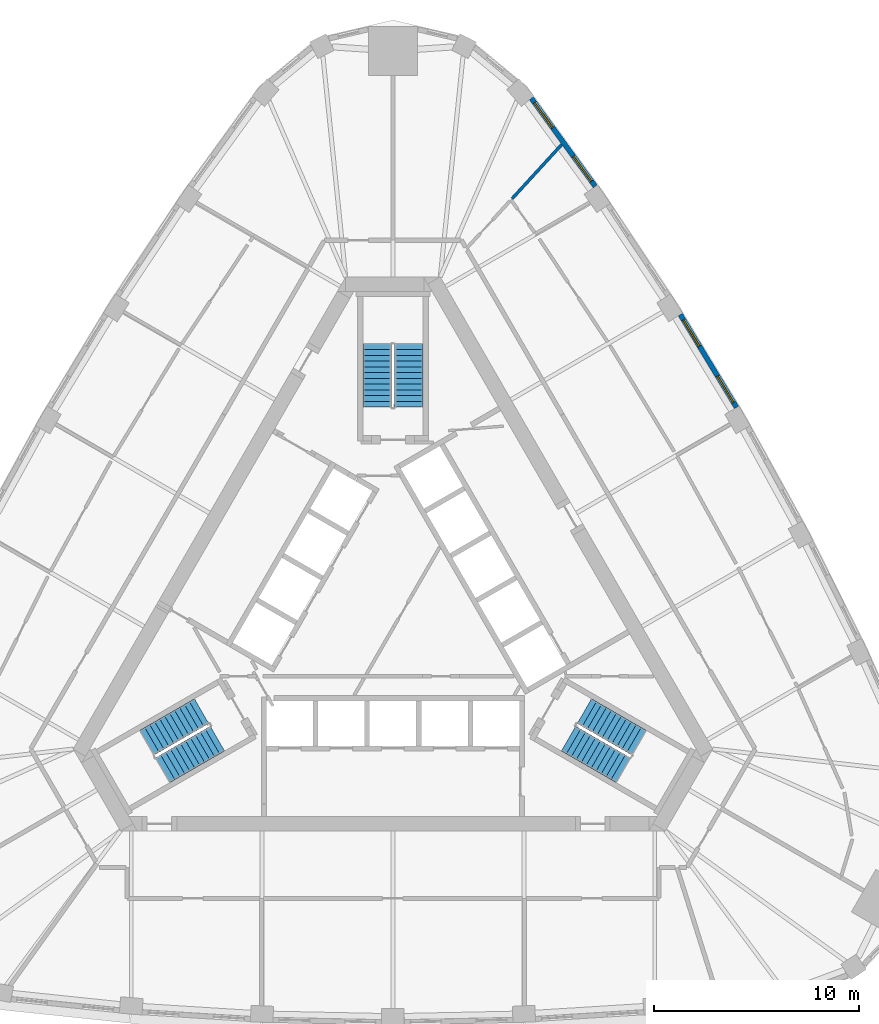
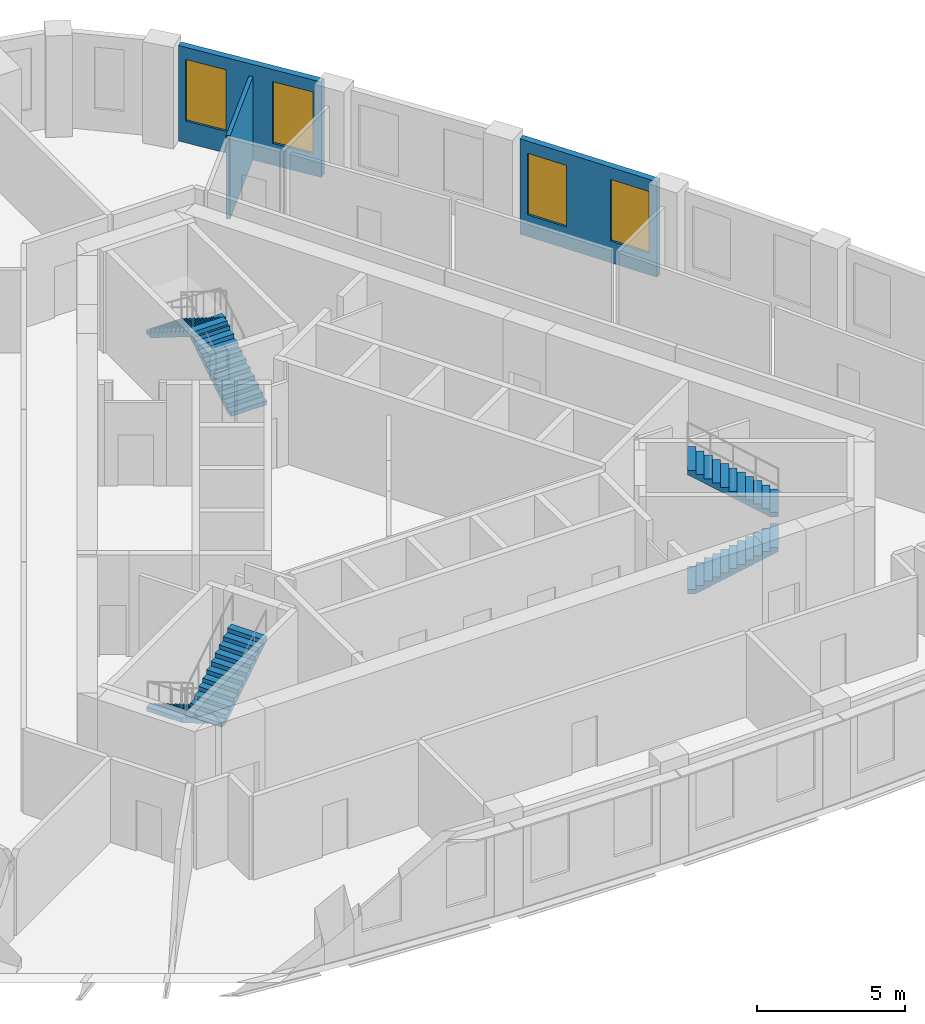
# One storey, part 10 of 11: 6 stair flights, 4 windows, 3 walls, 4 openings, 3 elements without a shape of their own.
"""IFC4 building model written with IfcOpenShell, lengths in metres."""

from ifc_helpers import new_model, si_unit, direction, frame, frame_2d, origin, place, context, subcontext, project, spatial, polyline, rectangle, outline, extrude, material, layer, layer_set, type_object, element, fill, aggregate, save


model = new_model("IFC4")

# Units and contexts
model_context = context("Model", 3, precision=1e-05, world=origin(), true_north=direction((0.0, 1.0)))
body_context = subcontext(model_context, "Body", "Model", "MODEL_VIEW")
ifc_project = project(units=[si_unit("LENGTHUNIT", "METRE"), si_unit("AREAUNIT", "SQUARE_METRE"), si_unit("VOLUMEUNIT", "CUBIC_METRE"), si_unit("PLANEANGLEUNIT", "RADIAN"), si_unit("MASSUNIT", "GRAM", prefix="KILO")], contexts=[model_context])

# Site, building, storey
site_placement = place(None, origin())
site = spatial("IfcSite", under=ifc_project, at=site_placement, CompositionType="ELEMENT")
building_placement = place(site_placement, origin())
building = spatial("IfcBuilding", under=site, at=building_placement, Name="Mestral Congress Tower", CompositionType="ELEMENT")
storey_placement = place(building_placement, frame((0.0, 0.0, 210.0)))
storey = spatial("IfcBuildingStorey", under=building, at=storey_placement, Name="L49", CompositionType="ELEMENT", Elevation=210.0)

# Wall, openings, windows
ifc_material_1 = material(Name="Precast concrete C40/50 with limestone facing", Category="masonry")
ifc_layer_1 = layer(ifc_material_1, 0.239990234375)
ifc_layer_set_1 = layer_set([ifc_layer_1], Name="Precast concrete C40/50 with limestone facing")
wall_type_1 = type_object("IfcWallType", Name="Facade stone wall 240", PredefinedType="SOLIDWALL", material=ifc_layer_set_1)
wall_1_placement = place(storey_placement, frame((16.78173828125, 10.331298828125, 0.0), z_axis=(0.0, 0.0, 1.0), x_axis=(-0.517846166225, 0.855473756538, 0.0)))
wall_1 = element("IfcWall", 1, at=wall_1_placement, inside=storey, type_object=wall_type_1, Name="Facade wall F1-03", PredefinedType="SOLIDWALL", context=body_context, shape_type="SweptSolid", body=[
    extrude(rectangle(XDim=5.298095703125, YDim=0.239990234375, at=frame_2d((2.64892578125, 0.0))), origin(), (0.0, 0.0, 1.0), 3.949951171875),
])
opening_1_placement = place(wall_1_placement, frame((0.29443359375, 0.0, 0.89990234375)))
opening_1 = element("IfcOpeningElement", 2, at=opening_1_placement, cuts=wall_1, Name="Opening W4", PredefinedType="OPENING", context=body_context, shape_type="SweptSolid", body=[
    extrude(rectangle(XDim=1.5, YDim=2.550048828125, at=frame_2d((0.75, 1.27490234375))), frame((0.0, 0.1298828125, 0.0), z_axis=(0.0, -1.0, 0.0), x_axis=(1.0, 0.0, 0.0)), (0.0, 0.0, 1.0), 0.260009765625),
])
opening_2_placement = place(wall_1_placement, frame((3.503662109375, 0.0, 0.89990234375)))
opening_2 = element("IfcOpeningElement", 3, at=opening_2_placement, cuts=wall_1, Name="Opening W4", PredefinedType="OPENING", context=body_context, shape_type="SweptSolid", body=[
    extrude(rectangle(XDim=1.5, YDim=2.550048828125, at=frame_2d((0.75, 1.27490234375))), frame((0.0, 0.1298828125, 0.0), z_axis=(0.0, -1.0, 0.0), x_axis=(1.0, 0.0, 0.0)), (0.0, 0.0, 1.0), 0.260009765625),
])
ifc_material_2 = material(Name="Clear low-emissivity double glazing", Category="glass")
window_type = type_object("IfcWindowType", Name="Facade punched window 1500 x 2550 sill 900", PartitioningType="SINGLE_PANEL", PredefinedType="WINDOW", material=ifc_material_2)
window_1_placement = place(opening_1_placement, origin())
window_1 = element("IfcWindow", 4, at=window_1_placement, inside=storey, type_object=window_type, Name="Window F1-03a", OverallHeight=2.550048828125, OverallWidth=1.5, PartitioningType="SINGLE_PANEL", PredefinedType="WINDOW", context=body_context, shape_type="SweptSolid", body=[
    extrude(rectangle(XDim=1.5, YDim=2.550048828125, at=frame_2d((0.75, 1.27490234375))), frame((0.0, 0.0400390625, 0.0), z_axis=(0.0, -1.0, 0.0), x_axis=(1.0, 0.0, 0.0)), (0.0, 0.0, 1.0), 0.06005859375),
])
fill(opening_1, window_1)
window_2_placement = place(opening_2_placement, origin())
window_2 = element("IfcWindow", 5, at=window_2_placement, inside=storey, type_object=window_type, Name="Window F1-03b", OverallHeight=2.550048828125, OverallWidth=1.5, PartitioningType="SINGLE_PANEL", PredefinedType="WINDOW", context=body_context, shape_type="SweptSolid", body=[
    extrude(rectangle(XDim=1.5, YDim=2.550048828125, at=frame_2d((0.75, 1.27490234375))), frame((0.0, 0.0400390625, 0.0), z_axis=(0.0, -1.0, 0.0), x_axis=(1.0, 0.0, 0.0)), (0.0, 0.0, 1.0), 0.06005859375),
])
fill(opening_2, window_2)

wall_2_placement = place(storey_placement, frame((9.87841796875, 21.13232421875, 0.0), z_axis=(0.0, 0.0, 1.0), x_axis=(-0.586998456641, 0.80958805074, 0.0)))
wall_2 = element("IfcWall", 6, at=wall_2_placement, inside=storey, type_object=wall_type_1, Name="Facade wall F1-05", PredefinedType="SOLIDWALL", context=body_context, shape_type="SweptSolid", body=[
    extrude(rectangle(XDim=5.310791015625, YDim=0.239990234375, at=frame_2d((2.6552734375, 0.0))), origin(), (0.0, 0.0, 1.0), 3.949951171875),
])
opening_3_placement = place(wall_2_placement, frame((0.306396484375, 0.0, 0.89990234375)))
opening_3 = element("IfcOpeningElement", 7, at=opening_3_placement, cuts=wall_2, Name="Opening W4", PredefinedType="OPENING", context=body_context, shape_type="SweptSolid", body=[
    extrude(rectangle(XDim=1.5, YDim=2.550048828125, at=frame_2d((0.75, 1.27490234375))), frame((0.0, 0.1298828125, 0.0), z_axis=(0.0, -1.0, 0.0), x_axis=(1.0, 0.0, 0.0)), (0.0, 0.0, 1.0), 0.260009765625),
])
opening_4_placement = place(wall_2_placement, frame((3.539306640625, 0.0, 0.89990234375)))
opening_4 = element("IfcOpeningElement", 8, at=opening_4_placement, cuts=wall_2, Name="Opening W4", PredefinedType="OPENING", context=body_context, shape_type="SweptSolid", body=[
    extrude(rectangle(XDim=1.5, YDim=2.550048828125, at=frame_2d((0.75, 1.27490234375))), frame((0.0, 0.1298828125, 0.0), z_axis=(0.0, -1.0, 0.0), x_axis=(1.0, 0.0, 0.0)), (0.0, 0.0, 1.0), 0.260009765625),
])
window_3_placement = place(opening_3_placement, origin())
window_3 = element("IfcWindow", 9, at=window_3_placement, inside=storey, type_object=window_type, Name="Window F1-05a", OverallHeight=2.550048828125, OverallWidth=1.5, PartitioningType="SINGLE_PANEL", PredefinedType="WINDOW", context=body_context, shape_type="SweptSolid", body=[
    extrude(rectangle(XDim=1.5, YDim=2.550048828125, at=frame_2d((0.75, 1.27490234375))), frame((0.0, 0.0400390625, 0.0), z_axis=(0.0, -1.0, 0.0), x_axis=(1.0, 0.0, 0.0)), (0.0, 0.0, 1.0), 0.06005859375),
])
fill(opening_3, window_3)
window_4_placement = place(opening_4_placement, origin())
window_4 = element("IfcWindow", 10, at=window_4_placement, inside=storey, type_object=window_type, Name="Window F1-05b", OverallHeight=2.550048828125, OverallWidth=1.5, PartitioningType="SINGLE_PANEL", PredefinedType="WINDOW", context=body_context, shape_type="SweptSolid", body=[
    extrude(rectangle(XDim=1.5, YDim=2.550048828125, at=frame_2d((0.75, 1.27490234375))), frame((0.0, 0.0400390625, 0.0), z_axis=(0.0, -1.0, 0.0), x_axis=(1.0, 0.0, 0.0)), (0.0, 0.0, 1.0), 0.06005859375),
])
fill(opening_4, window_4)

# Wall
ifc_material_3 = material(Name="Plasterboard partition on steel studs", Category="steel")
ifc_layer_2 = layer(ifc_material_3, 0.14990234375)
ifc_layer_set_2 = layer_set([ifc_layer_2], Name="Plasterboard partition on steel studs")
wall_type_2 = type_object("IfcWallType", Name="Office partition 150", PredefinedType="PARTITIONING", material=ifc_layer_set_2)
wall_3_placement = place(storey_placement, frame((5.81591796875, 20.525634765625, 0.0), z_axis=(0.0, 0.0, 1.0), x_axis=(0.675700046709, 0.737176672771, 0.0)))
element("IfcWall", 11, at=wall_3_placement, inside=storey, type_object=wall_type_2, Name="Partition", PredefinedType="PARTITIONING", context=body_context, shape_type="SweptSolid", body=[
    extrude(rectangle(XDim=3.597900390625, YDim=0.14990234375, at=frame_2d((1.798828125, 0.0))), origin(), (0.0, 0.0, 1.0), 3.449951171875),
])

# Stair, stair flights
ifc_material_4 = material(Name="Concrete C60/75", Category="concrete")
stair_type = type_object("IfcStairType", Name="Exit stair 1400", PredefinedType="HALF_TURN_STAIR", material=ifc_material_4)
placement = place(storey_placement, origin())
stair_1 = element("IfcStair", 12, at=placement, inside=storey, type_object=stair_type, Name="L49 ST1", PredefinedType="HALF_TURN_STAIR")
stair_flight_type = type_object("IfcStairFlightType", Name="Exit stair flight 1400", PredefinedType="STRAIGHT", material=ifc_material_4)
stair_flight_1_placement = place(storey_placement, frame((8.575927734375, -5.84619140625, 0.0), z_axis=(0.0, 0.0, 1.0), x_axis=(0.866025403784, -0.5, 0.0)))
stair_flight_1 = element("IfcStairFlight", 13, at=stair_flight_1_placement, type_object=stair_flight_type, Name="ST1 flight 1", NumberOfRisers=12, NumberOfTreads=11, PredefinedType="STRAIGHT", RiserHeight=0.175, TreadLength=0.28, context=body_context, shape_type="SweptSolid", body=[
    extrude(outline(polyline([(0.0, 0.0), (0.0, 0.175048828125), (0.280029296875, 0.175048828125), (0.280029296875, 0.35009765625), (0.56005859375, 0.35009765625), (0.56005859375, 0.52490234375), (0.840087890625, 0.52490234375), (0.840087890625, 0.699951171875), (1.1201171875, 0.699951171875), (1.1201171875, 0.875), (1.39990234375, 0.875), (1.39990234375, 1.050048828125), (1.679931640625, 1.050048828125), (1.679931640625, 1.22509765625), (1.9599609375, 1.22509765625), (1.9599609375, 1.39990234375), (2.239990234375, 1.39990234375), (2.239990234375, 1.574951171875), (2.52001953125, 1.574951171875), (2.52001953125, 1.75), (2.800048828125, 1.75), (2.800048828125, 1.925048828125), (3.080078125, 1.925048828125), (3.080078125, 2.10009765625), (3.080078125, 1.748291015625), (0.28271484375, 0.0), (0.0, 0.0)])), frame((0.0, 0.699951171875, 0.0), z_axis=(0.0, -1.0, 0.0), x_axis=(1.0, 0.0, 0.0)), (0.0, 0.0, 1.0), 1.39990234375),
])
stair_flight_2_placement = place(storey_placement, frame((12.018310546875, -6.0439453125, 2.10009765625), z_axis=(0.0, 0.0, 1.0), x_axis=(-0.866025403784, 0.5, 0.0)))
stair_flight_2 = element("IfcStairFlight", 14, at=stair_flight_2_placement, type_object=stair_flight_type, Name="ST1 flight 2", NumberOfRisers=12, NumberOfTreads=11, PredefinedType="STRAIGHT", RiserHeight=0.175, TreadLength=0.28, context=body_context, shape_type="SweptSolid", body=[
    extrude(outline(polyline([(0.0, 0.0), (0.0, 0.175048828125), (0.280029296875, 0.175048828125), (0.280029296875, 0.35009765625), (0.56005859375, 0.35009765625), (0.56005859375, 0.52490234375), (0.840087890625, 0.52490234375), (0.840087890625, 0.699951171875), (1.1201171875, 0.699951171875), (1.1201171875, 0.875), (1.39990234375, 0.875), (1.39990234375, 1.050048828125), (1.679931640625, 1.050048828125), (1.679931640625, 1.22509765625), (1.9599609375, 1.22509765625), (1.9599609375, 1.39990234375), (2.239990234375, 1.39990234375), (2.239990234375, 1.574951171875), (2.52001953125, 1.574951171875), (2.52001953125, 1.75), (2.800048828125, 1.75), (2.800048828125, 1.925048828125), (3.080078125, 1.925048828125), (3.080078125, 2.10009765625), (3.080078125, 1.748291015625), (0.28271484375, 0.0), (0.0, 0.0)])), frame((0.0, 0.699951171875, 0.0), z_axis=(0.0, -1.0, 0.0), x_axis=(1.0, 0.0, 0.0)), (0.0, 0.0, 1.0), 1.39990234375),
])
aggregate(stair_1, [stair_flight_1, stair_flight_2])

stair_2 = element("IfcStair", 15, at=placement, inside=storey, type_object=stair_type, Name="L49 ST2", PredefinedType="HALF_TURN_STAIR")
stair_flight_3_placement = place(storey_placement, frame((0.77490234375, 10.35009765625, 0.0), z_axis=(0.0, 0.0, 1.0), x_axis=(0.0, 1.0, 0.0)))
stair_flight_3 = element("IfcStairFlight", 16, at=stair_flight_3_placement, type_object=stair_flight_type, Name="ST2 flight 1", NumberOfRisers=12, NumberOfTreads=11, PredefinedType="STRAIGHT", RiserHeight=0.175, TreadLength=0.28, context=body_context, shape_type="SweptSolid", body=[
    extrude(outline(polyline([(0.0, 0.0), (0.0, 0.175048828125), (0.280029296875, 0.175048828125), (0.280029296875, 0.35009765625), (0.56005859375, 0.35009765625), (0.56005859375, 0.52490234375), (0.840087890625, 0.52490234375), (0.840087890625, 0.699951171875), (1.1201171875, 0.699951171875), (1.1201171875, 0.875), (1.39990234375, 0.875), (1.39990234375, 1.050048828125), (1.679931640625, 1.050048828125), (1.679931640625, 1.22509765625), (1.9599609375, 1.22509765625), (1.9599609375, 1.39990234375), (2.239990234375, 1.39990234375), (2.239990234375, 1.574951171875), (2.52001953125, 1.574951171875), (2.52001953125, 1.75), (2.800048828125, 1.75), (2.800048828125, 1.925048828125), (3.080078125, 1.925048828125), (3.080078125, 2.10009765625), (3.080078125, 1.748291015625), (0.28271484375, 0.0), (0.0, 0.0)])), frame((0.0, 0.699951171875, 0.0), z_axis=(0.0, -1.0, 0.0), x_axis=(1.0, 0.0, 0.0)), (0.0, 0.0, 1.0), 1.39990234375),
])
stair_flight_4_placement = place(storey_placement, frame((-0.77490234375, 13.429931640625, 2.10009765625), z_axis=(0.0, 0.0, 1.0), x_axis=(0.0, -1.0, 0.0)))
stair_flight_4 = element("IfcStairFlight", 17, at=stair_flight_4_placement, type_object=stair_flight_type, Name="ST2 flight 2", NumberOfRisers=12, NumberOfTreads=11, PredefinedType="STRAIGHT", RiserHeight=0.175, TreadLength=0.28, context=body_context, shape_type="SweptSolid", body=[
    extrude(outline(polyline([(0.0, 0.0), (0.0, 0.175048828125), (0.280029296875, 0.175048828125), (0.280029296875, 0.35009765625), (0.56005859375, 0.35009765625), (0.56005859375, 0.52490234375), (0.840087890625, 0.52490234375), (0.840087890625, 0.699951171875), (1.1201171875, 0.699951171875), (1.1201171875, 0.875), (1.39990234375, 0.875), (1.39990234375, 1.050048828125), (1.679931640625, 1.050048828125), (1.679931640625, 1.22509765625), (1.9599609375, 1.22509765625), (1.9599609375, 1.39990234375), (2.239990234375, 1.39990234375), (2.239990234375, 1.574951171875), (2.52001953125, 1.574951171875), (2.52001953125, 1.75), (2.800048828125, 1.75), (2.800048828125, 1.925048828125), (3.080078125, 1.925048828125), (3.080078125, 2.10009765625), (3.080078125, 1.748291015625), (0.28271484375, 0.0), (0.0, 0.0)])), frame((0.0, 0.699951171875, 0.0), z_axis=(0.0, -1.0, 0.0), x_axis=(1.0, 0.0, 0.0)), (0.0, 0.0, 1.0), 1.39990234375),
])
aggregate(stair_2, [stair_flight_3, stair_flight_4])

stair_3 = element("IfcStair", 18, at=placement, inside=storey, type_object=stair_type, Name="L49 ST3", PredefinedType="HALF_TURN_STAIR")
stair_flight_5_placement = place(storey_placement, frame((-9.350830078125, -4.50390625, 0.0), z_axis=(0.0, 0.0, 1.0), x_axis=(-0.866025403784, -0.5, 0.0)))
stair_flight_5 = element("IfcStairFlight", 19, at=stair_flight_5_placement, type_object=stair_flight_type, Name="ST3 flight 1", NumberOfRisers=12, NumberOfTreads=11, PredefinedType="STRAIGHT", RiserHeight=0.175, TreadLength=0.28, context=body_context, shape_type="SweptSolid", body=[
    extrude(outline(polyline([(0.0, 0.0), (0.0, 0.175048828125), (0.280029296875, 0.175048828125), (0.280029296875, 0.35009765625), (0.56005859375, 0.35009765625), (0.56005859375, 0.52490234375), (0.840087890625, 0.52490234375), (0.840087890625, 0.699951171875), (1.1201171875, 0.699951171875), (1.1201171875, 0.875), (1.39990234375, 0.875), (1.39990234375, 1.050048828125), (1.679931640625, 1.050048828125), (1.679931640625, 1.22509765625), (1.9599609375, 1.22509765625), (1.9599609375, 1.39990234375), (2.239990234375, 1.39990234375), (2.239990234375, 1.574951171875), (2.52001953125, 1.574951171875), (2.52001953125, 1.75), (2.800048828125, 1.75), (2.800048828125, 1.925048828125), (3.080078125, 1.925048828125), (3.080078125, 2.10009765625), (3.080078125, 1.748291015625), (0.28271484375, 0.0), (0.0, 0.0)])), frame((0.0, 0.699951171875, 0.0), z_axis=(0.0, -1.0, 0.0), x_axis=(1.0, 0.0, 0.0)), (0.0, 0.0, 1.0), 1.39990234375),
])
stair_flight_6_placement = place(storey_placement, frame((-11.2431640625, -7.38623046875, 2.10009765625), z_axis=(0.0, 0.0, 1.0), x_axis=(0.866025403784, 0.5, 0.0)))
stair_flight_6 = element("IfcStairFlight", 20, at=stair_flight_6_placement, type_object=stair_flight_type, Name="ST3 flight 2", NumberOfRisers=12, NumberOfTreads=11, PredefinedType="STRAIGHT", RiserHeight=0.175, TreadLength=0.28, context=body_context, shape_type="SweptSolid", body=[
    extrude(outline(polyline([(0.0, 0.0), (0.0, 0.175048828125), (0.280029296875, 0.175048828125), (0.280029296875, 0.35009765625), (0.56005859375, 0.35009765625), (0.56005859375, 0.52490234375), (0.840087890625, 0.52490234375), (0.840087890625, 0.699951171875), (1.1201171875, 0.699951171875), (1.1201171875, 0.875), (1.39990234375, 0.875), (1.39990234375, 1.050048828125), (1.679931640625, 1.050048828125), (1.679931640625, 1.22509765625), (1.9599609375, 1.22509765625), (1.9599609375, 1.39990234375), (2.239990234375, 1.39990234375), (2.239990234375, 1.574951171875), (2.52001953125, 1.574951171875), (2.52001953125, 1.75), (2.800048828125, 1.75), (2.800048828125, 1.925048828125), (3.080078125, 1.925048828125), (3.080078125, 2.10009765625), (3.080078125, 1.748291015625), (0.28271484375, 0.0), (0.0, 0.0)])), frame((0.0, 0.699951171875, 0.0), z_axis=(0.0, -1.0, 0.0), x_axis=(1.0, 0.0, 0.0)), (0.0, 0.0, 1.0), 1.39990234375),
])
aggregate(stair_3, [stair_flight_5, stair_flight_6])

save(model, "model.ifc")
